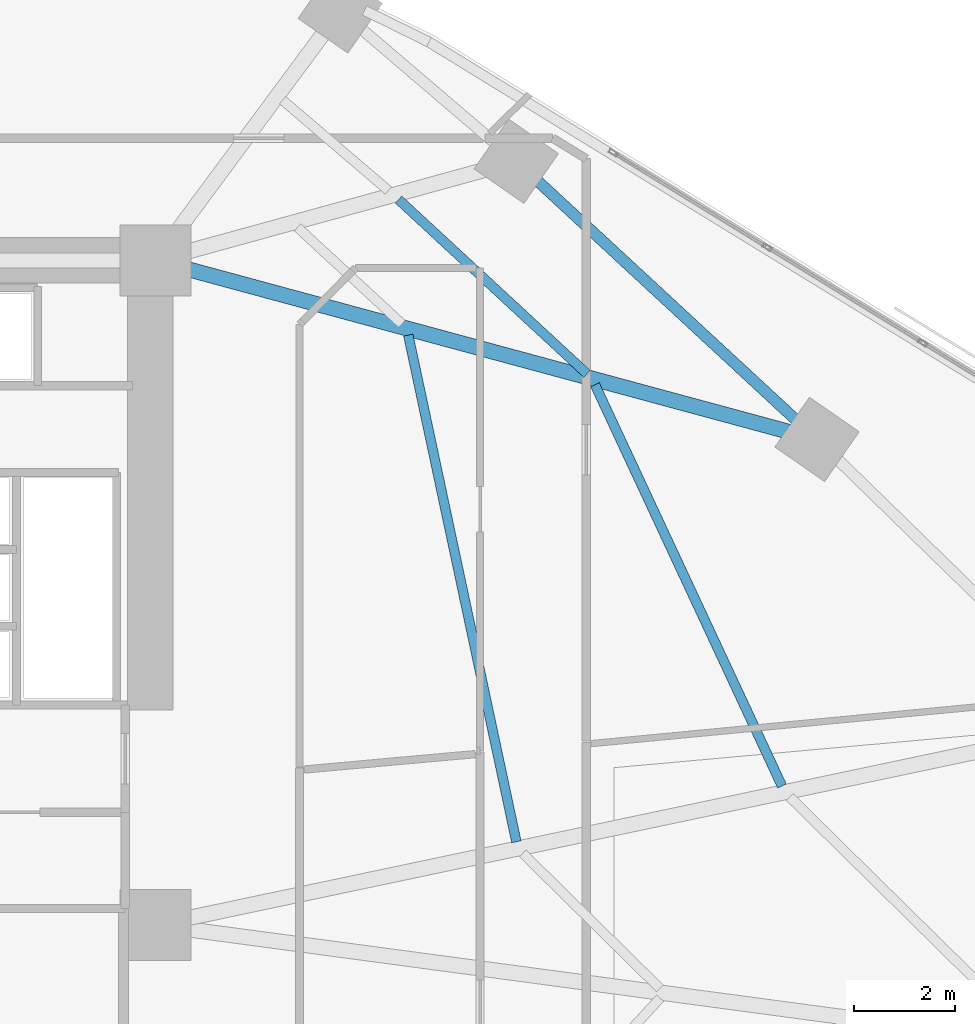
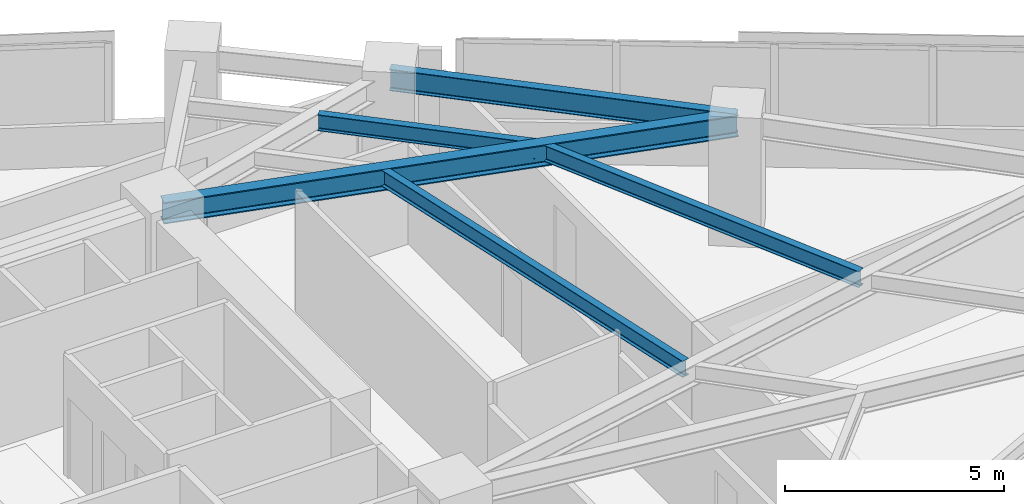
# One storey, part 5 of 18: 5 beams.
"""IFC4 building model written with IfcOpenShell, lengths in metres."""

import ifcopenshell
import ifcopenshell.guid

model = None  # the IFC model being written
_history = None  # IfcOwnerHistory: only IFC2X3 demands one
_inside = {}  # id of a spatial element -> (the spatial element, [elements in it])
_under = {}  # id of a project, library or spatial element -> (it, [spatial elements below it])
_declared = {}  # id of a project -> (the project, [libraries it declares])
_typed = {}  # id of a type object -> (the type object, [elements of that type])
_made_of = {}  # id of a material, layer set ... -> (it, [elements and type objects made of it])


def new_model(schema):
    """Start an empty IFC model of exactly this schema.

    Asked for "IFC4X3", IfcOpenShell would pick the latest addendum, in which some entities
    have other attributes; the version numbers below select the first issue.
    IFC2X3 requires an IfcOwnerHistory on every rooted entity: one is made here for all.
    """
    global model, _history
    if schema == "IFC4X3":
        model = ifcopenshell.file(schema_version=(4, 3, 0, 0))
    else:
        model = ifcopenshell.file(schema=schema)
    _inside.clear()
    _under.clear()
    _declared.clear()
    _typed.clear()
    _made_of.clear()
    _history = None
    if model.schema == "IFC2X3":
        org = make("IfcOrganization", Name="unknown")
        user = make(
            "IfcPersonAndOrganization",
            ThePerson=make("IfcPerson", FamilyName="unknown"),
            TheOrganization=org,
        )
        app = make(
            "IfcApplication",
            ApplicationDeveloper=org,
            Version="unknown",
            ApplicationFullName="unknown",
            ApplicationIdentifier="unknown",
        )
        _history = make(
            "IfcOwnerHistory",
            OwningUser=user,
            OwningApplication=app,
            ChangeAction="ADDED",
            CreationDate=0,
        )
    return model


def make(cls, **values):
    """One entity of the class cls with the attributes given. An attribute that is None is left unset."""
    return model.create_entity(
        cls, **{name: value for name, value in values.items() if value is not None}
    )


def rooted(cls, **values):
    """An entity with a GlobalId (a new one), such as an element, a storey or a relation."""
    return make(cls, GlobalId=ifcopenshell.guid.new(), OwnerHistory=_history, **values)


def si_unit(unit_type, name, prefix=None):
    """IfcSIUnit, for example si_unit("LENGTHUNIT", "METRE", prefix="MILLI")."""
    return make("IfcSIUnit", UnitType=unit_type, Prefix=prefix, Name=name)


def assignment(units):
    """IfcUnitAssignment: the units of a project."""
    return None if units is None else make("IfcUnitAssignment", Units=units)


def point(xyz):
    """IfcCartesianPoint."""
    return None if xyz is None else make("IfcCartesianPoint", Coordinates=xyz)


def direction(xyz):
    """IfcDirection."""
    return None if xyz is None else make("IfcDirection", DirectionRatios=xyz)


def frame(location, z_axis=None, x_axis=None):
    """IfcAxis2Placement3D, a coordinate frame: its origin and axes. An axis left out is left unset."""
    return make(
        "IfcAxis2Placement3D",
        Location=point(location),
        Axis=direction(z_axis),
        RefDirection=direction(x_axis),
    )


def frame_2d(location, x_axis=None):
    """IfcAxis2Placement2D, a coordinate frame in the plane: its origin and x axis."""
    return make(
        "IfcAxis2Placement2D", Location=point(location), RefDirection=direction(x_axis)
    )


def origin():
    """The frame at (0, 0, 0) with its axes left unset."""
    return frame((0.0, 0.0, 0.0))


def origin_2d():
    """The frame at (0, 0) in the plane with its x axis left unset."""
    return frame_2d((0.0, 0.0))


def place(relative_to, where):
    """IfcLocalPlacement: puts the frame where relative to a parent placement (None: the world)."""
    return make(
        "IfcLocalPlacement", PlacementRelTo=relative_to, RelativePlacement=where
    )


def context(
    kind, dimensions, precision=None, world=None, true_north=None, identifier=None
):
    """IfcGeometricRepresentationContext, for example the 3D "Model" context."""
    return make(
        "IfcGeometricRepresentationContext",
        ContextIdentifier=identifier,
        ContextType=kind,
        CoordinateSpaceDimension=dimensions,
        Precision=precision,
        WorldCoordinateSystem=world,
        TrueNorth=true_north,
    )


def subcontext(parent, identifier, kind, view, scale=None):
    """IfcGeometricRepresentationSubContext, for example "Body" below "Model"."""
    return make(
        "IfcGeometricRepresentationSubContext",
        ContextIdentifier=identifier,
        ContextType=kind,
        ParentContext=parent,
        TargetScale=scale,
        TargetView=view,
    )


def project(units=None, contexts=None):
    """IfcProject with its units and contexts."""
    return rooted(
        "IfcProject",
        Name="project",
        RepresentationContexts=contexts,
        UnitsInContext=assignment(units),
    )


def spatial(cls, under=None, at=None, **own):
    """A site, building, storey or space (cls), placed at a placement, below another one or the project."""
    s = rooted(cls, ObjectPlacement=at, **own)
    if under is not None:
        _under.setdefault(under.id(), (under, []))[1].append(s)
    return s


def profile(cls, at=None, kind="AREA", **sizes):
    """A parametric profile (cls). Its sizes go by their IFC names, for example OverallWidth=200.0."""
    return make(cls, ProfileType=kind, Position=at, **sizes)


def i_section(**sizes):
    """IfcIShapeProfileDef."""
    return profile("IfcIShapeProfileDef", **sizes)


def extrude(swept, where, along, depth):
    """IfcExtrudedAreaSolid: the profile swept, set in the frame where, extruded along a direction by depth."""
    return make(
        "IfcExtrudedAreaSolid",
        SweptArea=swept,
        Position=where,
        ExtrudedDirection=direction(along),
        Depth=depth,
    )


def shape(context_of_items, identifier, shape_type, items):
    """IfcShapeRepresentation: the items that make up one representation, for example the "Body"."""
    return make(
        "IfcShapeRepresentation",
        ContextOfItems=context_of_items,
        RepresentationIdentifier=identifier,
        RepresentationType=shape_type,
        Items=items,
    )


def material(Name=None, Category=None):
    """IfcMaterial."""
    return make("IfcMaterial", Name=Name, Category=Category)


def material_profile(
    of_material, cross_section, Name=None, Category=None, Priority=None
):
    """IfcMaterialProfile: a cross section and its material."""
    return make(
        "IfcMaterialProfile",
        Name=Name,
        Material=of_material,
        Profile=cross_section,
        Priority=Priority,
        Category=Category,
    )


def profile_set(profiles, Name=None, composite=None):
    """IfcMaterialProfileSet."""
    return make(
        "IfcMaterialProfileSet",
        Name=Name,
        MaterialProfiles=profiles,
        CompositeProfile=composite,
    )


def made_of(thing, what):
    """Note that an element or type object is made of a material, layer set ...; save() writes the relation."""
    if what is not None:
        _made_of.setdefault(what.id(), (what, []))[1].append(thing)
    return thing


def type_object(cls, material=None, **own):
    """A type object (cls), such as IfcWallType, which elements share."""
    return made_of(rooted(cls, **own), material)


def element(
    cls,
    number,
    at=None,
    inside=None,
    cuts=None,
    type_object=None,
    material=None,
    context=None,
    identifier="Body",
    shape_type=None,
    held_by="IfcProductDefinitionShape",
    body=None,
    shapes=None,
    **own,
):
    """One element of the class cls, such as IfcWall. Its Tag is "e" and its number.

    at: its placement. inside: the storey or other place that contains it. cuts: it is an
    opening in that element (IfcRelVoidsElement). A single representation is given by context,
    identifier, shape_type and body (its items); several are given by shapes. held_by: the class
    of the entity that holds the representations. save() writes the other relations.
    """
    e = rooted(cls, Tag="e%d" % number, ObjectPlacement=at, **own)
    if body is not None:
        shapes = [shape(context, identifier, shape_type, body)]
    if shapes is not None:
        e.Representation = make(held_by, Representations=shapes)
    if inside is not None:
        _inside.setdefault(inside.id(), (inside, []))[1].append(e)
    if cuts is not None:
        rooted(
            "IfcRelVoidsElement", RelatingBuildingElement=cuts, RelatedOpeningElement=e
        )
    if type_object is not None:
        _typed.setdefault(type_object.id(), (type_object, []))[1].append(e)
    return made_of(e, material)


def aggregate(whole, parts):
    """IfcRelAggregates: a whole, such as a stair, and the parts it consists of."""
    return rooted("IfcRelAggregates", RelatingObject=whole, RelatedObjects=parts)


def save(model, path):
    """Write the relations noted so far, then the file.

    IfcRelAggregates (storeys below a building ...), IfcRelContainedInSpatialStructure (elements
    in a storey), IfcRelDefinesByType, IfcRelAssociatesMaterial and IfcRelDeclares: one each for
    every whole, place, type object, material and project.
    """
    for whole, parts in _under.values():
        aggregate(whole, parts)
    for where, things in _inside.values():
        rooted(
            "IfcRelContainedInSpatialStructure",
            RelatedElements=things,
            RelatingStructure=where,
        )
    for kind, things in _typed.values():
        rooted("IfcRelDefinesByType", RelatedObjects=things, RelatingType=kind)
    for what, things in _made_of.values():
        rooted("IfcRelAssociatesMaterial", RelatedObjects=things, RelatingMaterial=what)
    for by, libraries in _declared.values():
        rooted("IfcRelDeclares", RelatingContext=by, RelatedDefinitions=libraries)
    model.write(path)


model = new_model("IFC4")

# Units and contexts
model_context = context("Model", 3, precision=1e-05, world=origin(), true_north=direction((0.0, 1.0)))
body_context = subcontext(model_context, "Body", "Model", "MODEL_VIEW")
ifc_project = project(units=[si_unit("LENGTHUNIT", "METRE"), si_unit("AREAUNIT", "SQUARE_METRE"), si_unit("VOLUMEUNIT", "CUBIC_METRE"), si_unit("PLANEANGLEUNIT", "RADIAN"), si_unit("MASSUNIT", "GRAM", prefix="KILO")], contexts=[model_context])

# Site, building, storey
site_placement = place(None, origin())
site = spatial("IfcSite", under=ifc_project, at=site_placement, CompositionType="ELEMENT")
building_placement = place(site_placement, origin())
building = spatial("IfcBuilding", under=site, at=building_placement, Name="Narakoshi Arena Tower", CompositionType="ELEMENT")
storey_placement = place(building_placement, frame((0.0, 0.0, 102.89990234375)))
storey = spatial("IfcBuildingStorey", under=building, at=storey_placement, Name="L27", CompositionType="ELEMENT", Elevation=102.89990234375)

# Beams
ifc_material = material(Name="Structural steel S355J2", Category="steel")
ifc_material_profile_1 = material_profile(ifc_material, i_section(OverallWidth=0.219970703125, OverallDepth=0.60009765625, WebThickness=0.011962890625, FlangeThickness=0.01904296875, FilletRadius=0.02392578125, at=origin_2d()), Name="IPE600")
ifc_profile_set_1 = profile_set([ifc_material_profile_1], Name="Structural steel S355J2")
beam_type_1 = type_object("IfcBeamType", Name="BM-EDGE-600", PredefinedType="BEAM", material=ifc_profile_set_1)
beam_1_placement = place(storey_placement, frame((98.641357421875, 52.95849609375, 3.0400390625), z_axis=(-0.734140347065, 0.678997754643, 0.0), x_axis=(-0.678997754643, -0.734140347065, 0.0)))
element("IfcBeam", 1, at=beam_1_placement, inside=storey, type_object=beam_type_1, Name="L27 Perimeter Edge Girder 06", PredefinedType="BEAM", context=body_context, shape_type="SweptSolid", body=[
    extrude(i_section(OverallWidth=0.219970703125, OverallDepth=0.60009765625, WebThickness=0.011962890625, FlangeThickness=0.01904296875, FilletRadius=0.02392578125, at=origin_2d()), origin(), (0.0, 0.0, 1.0), 8.106689453125),
])
ifc_material_profile_2 = material_profile(ifc_material, i_section(OverallWidth=0.300048828125, OverallDepth=0.60009765625, WebThickness=0.015380859375, FlangeThickness=0.030029296875, FilletRadius=0.027099609375, at=origin_2d()), Name="HE600B")
ifc_profile_set_2 = profile_set([ifc_material_profile_2], Name="Structural steel S355J2")
beam_type_2 = type_object("IfcBeamType", Name="BM-PRI-600", PredefinedType="BEAM", material=ifc_profile_set_2)
beam_2_placement = place(storey_placement, frame((85.550048828125, 56.5, 3.0400390625), z_axis=(0.965301848216, -0.261136634408, 0.0), x_axis=(0.261136634408, 0.965301848216, 0.0)))
element("IfcBeam", 2, at=beam_2_placement, inside=storey, type_object=beam_type_2, Name="L27 Radial Primary Floor Girder 06", PredefinedType="BEAM", context=body_context, shape_type="SweptSolid", body=[
    extrude(i_section(OverallWidth=0.300048828125, OverallDepth=0.60009765625, WebThickness=0.015380859375, FlangeThickness=0.030029296875, FilletRadius=0.027099609375, at=origin_2d()), origin(), (0.0, 0.0, 1.0), 13.561767578125),
])
ifc_material_profile_3 = material_profile(ifc_material, i_section(OverallWidth=0.18994140625, OverallDepth=0.449951171875, WebThickness=0.009521484375, FlangeThickness=0.0146484375, FilletRadius=0.02099609375, at=origin_2d()), Name="IPE450")
ifc_profile_set_3 = profile_set([ifc_material_profile_3], Name="Structural steel S355J2")
beam_type_3 = type_object("IfcBeamType", Name="BM-SEC-450", PredefinedType="JOIST", material=ifc_profile_set_3)
beam_3_placement = place(storey_placement, frame((92.692626953125, 44.99462890625, 3.114990234375), z_axis=(-0.208678554526, 0.977984284578, 0.0), x_axis=(-0.977984284578, -0.208678554526, 0.0)))
element("IfcBeam", 3, at=beam_3_placement, inside=storey, type_object=beam_type_3, Name="L27 Composite Secondary Floor Joist 05", PredefinedType="JOIST", context=body_context, shape_type="SweptSolid", body=[
    extrude(i_section(OverallWidth=0.18994140625, OverallDepth=0.449951171875, WebThickness=0.009521484375, FlangeThickness=0.0146484375, FilletRadius=0.02099609375, at=origin_2d()), origin(), (0.0, 0.0, 1.0), 10.25341796875),
])
beam_4_placement = place(storey_placement, frame((97.947509765625, 46.099609375, 3.114990234375), z_axis=(-0.422374306876, 0.906421505091, 0.0), x_axis=(-0.906421505091, -0.422374306876, 0.0)))
element("IfcBeam", 4, at=beam_4_placement, inside=storey, type_object=beam_type_3, Name="L27 Composite Secondary Floor Joist 06", PredefinedType="JOIST", context=body_context, shape_type="SweptSolid", body=[
    extrude(i_section(OverallWidth=0.18994140625, OverallDepth=0.449951171875, WebThickness=0.009521484375, FlangeThickness=0.0146484375, FilletRadius=0.02099609375, at=origin_2d()), origin(), (0.0, 0.0, 1.0), 8.760498046875),
])
beam_5_placement = place(storey_placement, frame((94.09130859375, 54.25439453125, 3.114990234375), z_axis=(-0.734174891282, 0.678960403124, 0.0), x_axis=(-0.678960403124, -0.734174891282, 0.0)))
element("IfcBeam", 5, at=beam_5_placement, inside=storey, type_object=beam_type_3, Name="L27 Composite Secondary Floor Joist 08", PredefinedType="JOIST", context=body_context, shape_type="SweptSolid", body=[
    extrude(i_section(OverallWidth=0.18994140625, OverallDepth=0.449951171875, WebThickness=0.009521484375, FlangeThickness=0.0146484375, FilletRadius=0.02099609375, at=origin_2d()), origin(), (0.0, 0.0, 1.0), 5.08056640625),
])

save(model, "model.ifc")
